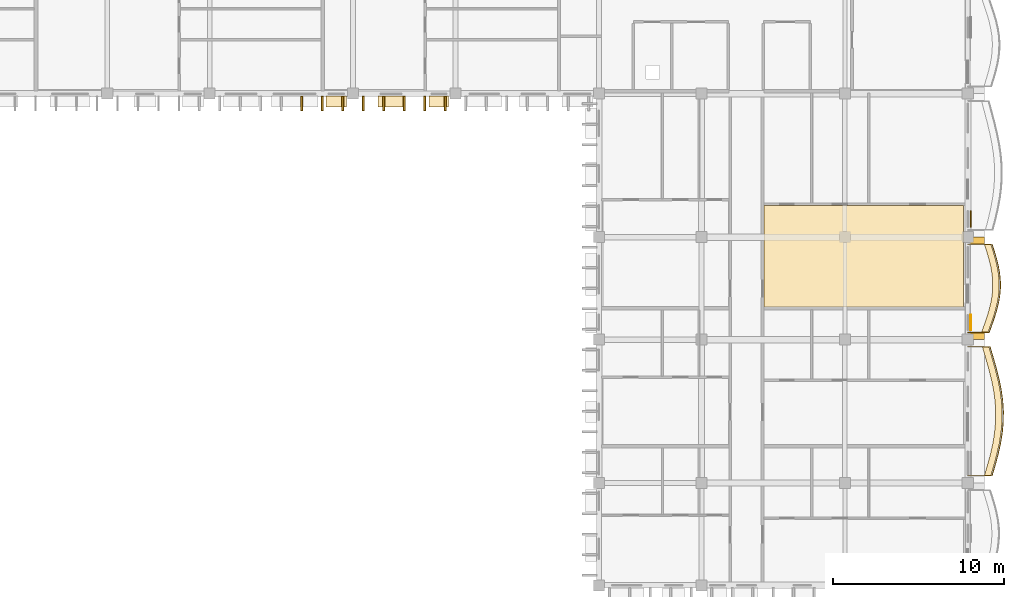
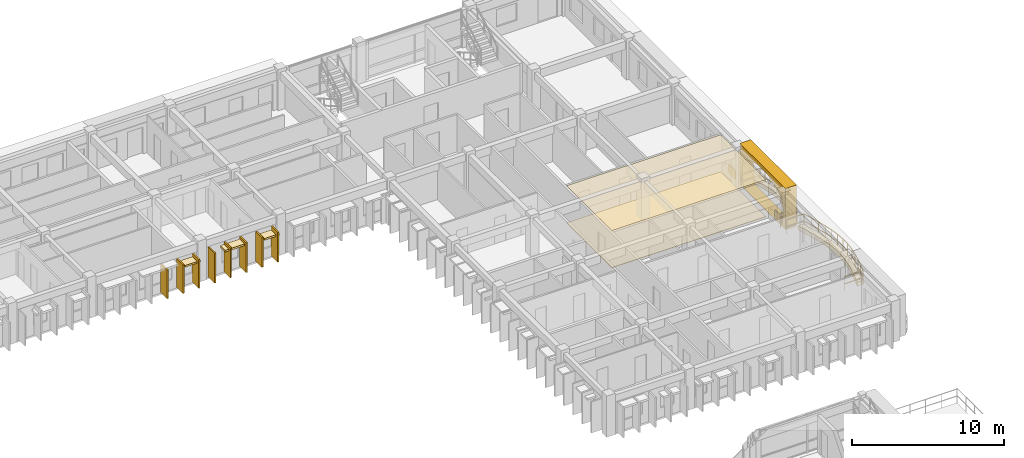
# One storey, part 62 of 66: 18 coverings, 2 railings.
"""IFC4 building model written with IfcOpenShell, lengths in metres."""

from ifc_helpers import new_model, si_unit, direction, frame, origin, origin_2d, place, context, subcontext, project, spatial, polyline, rectangle, outline, extrude, material, layer, layer_set, type_object, element, save


model = new_model("IFC4")

# Units and contexts
model_context = context("Model", 3, precision=1e-05, world=origin(), true_north=direction((0.0, 1.0)))
body_context = subcontext(model_context, "Body", "Model", "MODEL_VIEW")
ifc_project = project(units=[si_unit("LENGTHUNIT", "METRE"), si_unit("AREAUNIT", "SQUARE_METRE"), si_unit("VOLUMEUNIT", "CUBIC_METRE"), si_unit("PLANEANGLEUNIT", "RADIAN"), si_unit("MASSUNIT", "GRAM", prefix="KILO"), si_unit("THERMODYNAMICTEMPERATUREUNIT", "KELVIN")], contexts=[model_context])

# Site, building, storey
site_placement = place(None, origin())
site = spatial("IfcSite", under=ifc_project, at=site_placement, CompositionType="ELEMENT")
building_placement = place(site_placement, origin())
building = spatial("IfcBuilding", under=site, at=building_placement, Name="Thalorik Housing Commons", CompositionType="ELEMENT")
storey_placement = place(building_placement, frame((0.0, 0.0, 21.300048828125)))
storey = spatial("IfcBuildingStorey", under=building, at=storey_placement, Name="L06", CompositionType="ELEMENT", Elevation=21.300048828125)

# Coverings
ifc_material_1 = material(Name="Cobalt blue glazed ceramic facade tile panel", Category="masonry")
ifc_layer_1 = layer(ifc_material_1, 0.06005859375, Name="Cobalt blue glazed ceramic facade tile panel", Category="masonry")
ifc_layer_set_1 = layer_set([ifc_layer_1], Name="Cobalt blue glazed ceramic facade tile panel")
covering_type_1 = type_object("IfcCoveringType", Name="ARC-CLD-BLU-60", PredefinedType="CLADDING", material=ifc_layer_set_1)
covering_1_placement = place(storey_placement, frame((174.172607421875, 101.8603515625, 0.0498046875), z_axis=(0.0, 0.0, 1.0), x_axis=(0.0, 1.0, 0.0)))
element("IfcCovering", 1, at=covering_1_placement, inside=storey, type_object=covering_type_1, Name="L06 De Stijl Recessed Window Spandrel 2554", PredefinedType="CLADDING", context=body_context, shape_type="SweptSolid", body=[
    extrude(rectangle(XDim=0.949951171875, YDim=0.06005859375, at=origin_2d()), origin(), (0.0, 0.0, 1.0), 0.699951171875),
])
ifc_material_2 = material(Name="Precast concrete C40/50", Category="concrete")
ifc_layer_2 = layer(ifc_material_2, 0.85009765625, Name="Precast concrete C40/50", Category="concrete")
ifc_layer_set_2 = layer_set([ifc_layer_2], Name="Precast concrete C40/50")
covering_type_2 = type_object("IfcCoveringType", Name="ARC-CLD-CUSH-850", PredefinedType="CLADDING", material=ifc_layer_set_2)
covering_2_placement = place(storey_placement, frame((174.5625, 97.800048828125, 0.0), z_axis=(0.0, 0.0, 1.0), x_axis=(0.0, 1.0, 0.0)))
element("IfcCovering", 2, at=covering_2_placement, inside=storey, type_object=covering_type_2, Name="L06 White Precast Curved Cushion Bay Frame 2551", PredefinedType="CLADDING", context=body_context, shape_type="SweptSolid", body=[
    extrude(outline(polyline([(-3.0, 0.0), (3.0, 0.0), (3.0, 3.300048828125), (-3.0, 3.300048828125), (-3.0, 0.0)]), holes=[polyline([(2.485107421875, 0.02490234375), (2.59375, 0.407470703125), (2.658935546875, 0.7900390625), (2.6806640625, 1.172607421875), (2.658935546875, 1.554931640625), (2.59375, 1.9375), (2.485107421875, 2.320068359375), (2.0703125, 2.539306640625), (1.65576171875, 2.711181640625), (1.2412109375, 2.8505859375), (0.82666015625, 2.954345703125), (0.412109375, 3.018310546875), (-0.00244140625, 3.0400390625), (-0.4169921875, 3.018310546875), (-0.831787109375, 2.954345703125), (-1.246337890625, 2.8505859375), (-1.660888671875, 2.711181640625), (-2.075439453125, 2.539306640625), (-2.489990234375, 2.320068359375), (-2.59765625, 1.9375), (-2.662353515625, 1.554931640625), (-2.683837890625, 1.172607421875), (-2.662353515625, 0.7900390625), (-2.59765625, 0.407470703125), (-2.489990234375, 0.02490234375), (2.485107421875, 0.02490234375)])]), frame((0.0, 0.425048828125, 0.0), z_axis=(0.0, -1.0, 0.0), x_axis=(1.0, 0.0, 0.0)), (0.0, 0.0, 1.0), 0.85009765625),
])
ifc_layer_3 = layer(ifc_material_2, 0.85009765625, Name="Precast concrete C40/50", Category="concrete")
ifc_layer_set_3 = layer_set([ifc_layer_3], Name="Precast concrete C40/50")
covering_type_3 = type_object("IfcCoveringType", Name="ARC-CLD-FIN-850", PredefinedType="CLADDING", material=ifc_layer_set_3)
for number, where, z_axis, x_axis, name in (
    (3, (135.0, 108.637451171875, 0.0400390625), (0.0, 0.0, 1.0), (1.0, 0.0, 0.0), "L06 Courtyard Precast Vertical Brise-Soleil Fin 2465"),
    (4, (136.199951171875, 108.637451171875, 0.0400390625), (0.0, 0.0, 1.0), (1.0, 0.0, 0.0), "L06 Courtyard Precast Vertical Brise-Soleil Fin 2466"),
    (5, (137.39990234375, 108.637451171875, 0.0400390625), (0.0, 0.0, 1.0), (1.0, 0.0, 0.0), "L06 Courtyard Precast Vertical Brise-Soleil Fin 2467"),
):
    element("IfcCovering", number, at=place(storey_placement, frame(where, z_axis=z_axis, x_axis=x_axis)), inside=storey, type_object=covering_type_3, Name=name, PredefinedType="CLADDING", context=body_context, shape_type="SweptSolid", body=[
        extrude(rectangle(XDim=0.110107421875, YDim=0.85009765625, at=origin_2d()), origin(), (0.0, 0.0, 1.0), 2.294921875),
    ])
for number, where, z_axis, x_axis, name in (
    (6, (138.60009765625, 108.637451171875, 0.0400390625), (0.0, 0.0, 1.0), (1.0, 0.0, 0.0), "L06 Courtyard Precast Vertical Brise-Soleil Fin 2471"),
    (7, (139.800048828125, 108.637451171875, 0.0400390625), (0.0, 0.0, 1.0), (1.0, 0.0, 0.0), "L06 Courtyard Precast Vertical Brise-Soleil Fin 2472"),
    (8, (141.0, 108.637451171875, 0.0400390625), (0.0, 0.0, 1.0), (1.0, 0.0, 0.0), "L06 Courtyard Precast Vertical Brise-Soleil Fin 2473"),
    (9, (142.199951171875, 108.637451171875, 0.0400390625), (0.0, 0.0, 1.0), (1.0, 0.0, 0.0), "L06 Courtyard Precast Vertical Brise-Soleil Fin 2474"),
    (10, (143.39990234375, 108.637451171875, 0.0400390625), (0.0, 0.0, 1.0), (1.0, 0.0, 0.0), "L06 Courtyard Precast Vertical Brise-Soleil Fin 2475"),
):
    element("IfcCovering", number, at=place(storey_placement, frame(where, z_axis=z_axis, x_axis=x_axis)), inside=storey, type_object=covering_type_3, Name=name, PredefinedType="CLADDING", context=body_context, shape_type="SweptSolid", body=[
        extrude(rectangle(XDim=0.110107421875, YDim=0.85009765625, at=origin_2d()), origin(), (0.0, 0.0, 1.0), 2.39501953125),
    ])
ifc_layer_4 = layer(ifc_material_2, 0.64990234375, Name="Precast concrete C40/50", Category="concrete")
ifc_layer_set_4 = layer_set([ifc_layer_4], Name="Precast concrete C40/50")
covering_type_4 = type_object("IfcCoveringType", Name="ARC-CLD-HOOD-650", PredefinedType="CLADDING", material=ifc_layer_set_4)
covering_3_placement = place(storey_placement, frame((137.014892578125, 108.737548828125, 1.93994140625), z_axis=(0.0, 0.0, 1.0), x_axis=(1.0, 0.0, 0.0)))
element("IfcCovering", 11, at=covering_3_placement, inside=storey, type_object=covering_type_4, Name="L06 Courtyard Precast Window Sun-Hood 2470", PredefinedType="CLADDING", context=body_context, shape_type="SweptSolid", body=[
    extrude(rectangle(XDim=1.18994140625, YDim=0.64990234375, at=origin_2d()), origin(), (0.0, 0.0, 1.0), 0.139892578125),
])
covering_4_placement = place(storey_placement, frame((140.21240234375, 108.737548828125, 2.08984375), z_axis=(0.0, 0.0, 1.0), x_axis=(1.0, 0.0, 0.0)))
element("IfcCovering", 12, at=covering_4_placement, inside=storey, type_object=covering_type_4, Name="L06 Courtyard Precast Window Sun-Hood 2476", PredefinedType="CLADDING", context=body_context, shape_type="SweptSolid", body=[
    extrude(rectangle(XDim=1.489990234375, YDim=0.64990234375, at=origin_2d()), origin(), (0.0, 0.0, 1.0), 0.139892578125),
])
covering_5_placement = place(storey_placement, frame((143.0224609375, 108.737548828125, 1.990234375), z_axis=(0.0, 0.0, 1.0), x_axis=(1.0, 0.0, 0.0)))
element("IfcCovering", 13, at=covering_5_placement, inside=storey, type_object=covering_type_4, Name="L06 Courtyard Precast Window Sun-Hood 2477", PredefinedType="CLADDING", context=body_context, shape_type="SweptSolid", body=[
    extrude(rectangle(XDim=1.139892578125, YDim=0.64990234375, at=origin_2d()), origin(), (0.0, 0.0, 1.0), 0.139892578125),
])
ifc_material_3 = material(Name="Terracotta red mineral fibre-cement panel", Category="masonry")
ifc_layer_5 = layer(ifc_material_3, 0.054931640625, Name="Terracotta red mineral fibre-cement panel", Category="masonry")
ifc_layer_set_5 = layer_set([ifc_layer_5], Name="Terracotta red mineral fibre-cement panel")
covering_type_5 = type_object("IfcCoveringType", Name="ARC-CLD-RED-55", PredefinedType="CLADDING", material=ifc_layer_set_5)
covering_6_placement = place(storey_placement, frame((174.169921875, 95.81005859375, 0.0498046875), z_axis=(0.0, 0.0, 1.0), x_axis=(0.0, 1.0, 0.0)))
element("IfcCovering", 14, at=covering_6_placement, inside=storey, type_object=covering_type_5, Name="L06 De Stijl Recessed Window Spandrel 2552", PredefinedType="CLADDING", context=body_context, shape_type="SweptSolid", body=[
    extrude(rectangle(XDim=0.89990234375, YDim=0.054931640625, at=origin_2d()), origin(), (0.0, 0.0, 1.0), 0.699951171875),
])
ifc_material_4 = material(Name="Acoustic wood-wool nursery ceiling panel", Category="wood")
ifc_layer_6 = layer(ifc_material_4, 0.035888671875, Name="Acoustic wood-wool nursery ceiling panel", Category="wood")
ifc_layer_set_6 = layer_set([ifc_layer_6], Name="Acoustic wood-wool nursery ceiling panel")
covering_type_6 = type_object("IfcCoveringType", Name="ARC-COV-CEIL-06", PredefinedType="CEILING", material=ifc_layer_set_6)
covering_7_placement = place(storey_placement, frame((0.0, 0.0, 2.9638671875)))
element("IfcCovering", 15, at=covering_7_placement, inside=storey, type_object=covering_type_6, Name="L06 Sunlit Wintergarden Lounge Suspended Ceiling", PredefinedType="CEILING", context=body_context, shape_type="SweptSolid", body=[
    extrude(outline(polyline([(173.760009765625, 102.660888671875), (162.06005859375, 102.660888671875), (162.06005859375, 96.7099609375), (173.760009765625, 96.7099609375), (173.760009765625, 102.660888671875)])), origin(), (0.0, 0.0, 1.0), 0.0361328125),
])
ifc_material_5 = material(Name="Epoxy-sealed concrete plant and bicycle hub finish", Category="concrete")
ifc_layer_7 = layer(ifc_material_5, 0.031982421875, Name="Epoxy-sealed concrete plant and bicycle hub finish", Category="concrete")
ifc_layer_set_7 = layer_set([ifc_layer_7], Name="Epoxy-sealed concrete plant and bicycle hub finish")
covering_type_7 = type_object("IfcCoveringType", Name="ARC-COV-FLR-06", PredefinedType="FLOORING", material=ifc_layer_set_7)
covering_8_placement = place(storey_placement, origin())
element("IfcCovering", 16, at=covering_8_placement, inside=storey, type_object=covering_type_7, Name="L06 Sunlit Wintergarden Lounge Flooring", PredefinedType="FLOORING", context=body_context, shape_type="SweptSolid", body=[
    extrude(outline(polyline([(173.760009765625, 102.660888671875), (162.06005859375, 102.660888671875), (162.06005859375, 96.7099609375), (173.760009765625, 96.7099609375), (173.760009765625, 102.660888671875)])), origin(), (0.0, 0.0, 1.0), 0.031982421875),
])
ifc_material_6 = material(Name="Planted vegetated substrate and terracotta trough", Category="masonry")
ifc_layer_8 = layer(ifc_material_6, 0.340087890625, Name="Planted vegetated substrate and terracotta trough", Category="masonry")
ifc_layer_set_8 = layer_set([ifc_layer_8], Name="Planted vegetated substrate and terracotta trough")
covering_type_8 = type_object("IfcCoveringType", Name="ARC-COV-PLANTER", PredefinedType="USERDEFINED", material=ifc_layer_set_8)
covering_9_placement = place(storey_placement, origin())
element("IfcCovering", 17, at=covering_9_placement, inside=storey, type_object=covering_type_8, Name="L06 Balcony Slab-Edge Planted Trough 5499", ObjectType="PLANTER", PredefinedType="USERDEFINED", context=body_context, shape_type="SweptSolid", body=[
    extrude(outline(polyline([(175.35009765625, 86.820068359375), (175.535888671875, 87.449951171875), (175.704833984375, 88.080078125), (175.845458984375, 88.7099609375), (175.947998046875, 89.340087890625), (176.005615234375, 89.969970703125), (176.01416015625, 90.60009765625), (175.97314453125, 91.22998046875), (175.8857421875, 91.860107421875), (175.758056640625, 92.489990234375), (175.598876953125, 93.1201171875), (175.419189453125, 93.75), (175.231689453125, 94.3798828125), (174.8515625, 94.3798828125), (175.0390625, 93.75), (175.21875, 93.1201171875), (175.3779296875, 92.489990234375), (175.505859375, 91.860107421875), (175.59326171875, 91.22998046875), (175.634033203125, 90.60009765625), (175.62548828125, 89.969970703125), (175.568115234375, 89.340087890625), (175.46533203125, 88.7099609375), (175.32470703125, 88.080078125), (175.156005859375, 87.449951171875), (174.97021484375, 86.820068359375), (175.35009765625, 86.820068359375)])), origin(), (0.0, 0.0, 1.0), 0.33984375),
])
covering_10_placement = place(storey_placement, origin())
element("IfcCovering", 18, at=covering_10_placement, inside=storey, type_object=covering_type_8, Name="L06 Balcony Slab-Edge Planted Trough 5500", ObjectType="PLANTER", PredefinedType="USERDEFINED", context=body_context, shape_type="SweptSolid", body=[
    extrude(outline(polyline([(175.1826171875, 95.219970703125), (175.33837890625, 95.64990234375), (175.487548828125, 96.080078125), (175.6201171875, 96.510009765625), (175.72705078125, 96.93994140625), (175.801513671875, 97.3701171875), (175.838623046875, 97.800048828125), (175.836669921875, 98.22998046875), (175.796142578125, 98.659912109375), (175.720947265625, 99.090087890625), (175.616455078125, 99.52001953125), (175.49072265625, 99.949951171875), (175.35302734375, 100.3798828125), (174.972900390625, 100.3798828125), (175.110595703125, 99.949951171875), (175.236328125, 99.52001953125), (175.3408203125, 99.090087890625), (175.416259765625, 98.659912109375), (175.45654296875, 98.22998046875), (175.45849609375, 97.800048828125), (175.42138671875, 97.3701171875), (175.346923828125, 96.93994140625), (175.239990234375, 96.510009765625), (175.107666015625, 96.080078125), (174.95849609375, 95.64990234375), (174.802490234375, 95.219970703125), (175.1826171875, 95.219970703125)])), origin(), (0.0, 0.0, 1.0), 0.33984375),
])

# Railings
ifc_material_7 = material(Name="Steel S355", Category="steel")
railing_type_1 = type_object("IfcRailingType", Name="ARC-RL-BAL-112", PredefinedType="BALUSTRADE", material=ifc_material_7)
railing_1_placement = place(storey_placement, frame((174.0, 95.219970703125, 0.0)))
element("IfcRailing", 19, at=railing_1_placement, inside=storey, type_object=railing_type_1, Name="L06 Cushion Balcony Guardrail 184", PredefinedType="BALUSTRADE", context=body_context, shape_type="SweptSolid", body=[
    extrude(rectangle(XDim=0.050048828125, YDim=0.050048828125, at=origin_2d()), frame((0.0, 0.0, 1.09521484375), z_axis=(1.0, 0.0, 0.0), x_axis=(0.0, 1.0, 0.0)), (0.0, 0.0, 1.0), 1.252685546875),
    extrude(rectangle(XDim=0.050048828125, YDim=0.050048828125, at=origin_2d()), frame((0.0, 0.0, 0.53515625), z_axis=(1.0, 0.0, 0.0), x_axis=(0.0, 1.0, 0.0)), (0.0, 0.0, 1.0), 1.252685546875),
    extrude(rectangle(XDim=0.050048828125, YDim=0.050048828125, at=origin_2d()), frame((1.252685546875, 0.0, 1.09521484375), z_axis=(0.3406282576, 0.940198058988, 0.0), x_axis=(-0.940198058988, 0.3406282576, 0.0)), (0.0, 0.0, 1.0), 0.457275390625),
    extrude(rectangle(XDim=0.050048828125, YDim=0.050048828125, at=origin_2d()), frame((1.252685546875, 0.0, 0.53515625), z_axis=(0.3406282576, 0.940198058988, 0.0), x_axis=(-0.940198058988, 0.3406282576, 0.0)), (0.0, 0.0, 1.0), 0.457275390625),
    extrude(rectangle(XDim=0.050048828125, YDim=0.050048828125, at=origin_2d()), frame((1.408447265625, 0.429931640625, 1.09521484375), z_axis=(0.327626186403, 0.944807431164, 0.0), x_axis=(-0.944807431164, 0.327626186403, 0.0)), (0.0, 0.0, 1.0), 0.455322265625),
    extrude(rectangle(XDim=0.050048828125, YDim=0.050048828125, at=origin_2d()), frame((1.408447265625, 0.429931640625, 0.53515625), z_axis=(0.327626186403, 0.944807431164, 0.0), x_axis=(-0.944807431164, 0.327626186403, 0.0)), (0.0, 0.0, 1.0), 0.455322265625),
    extrude(rectangle(XDim=0.050048828125, YDim=0.050048828125, at=origin_2d()), frame((1.5576171875, 0.860107421875, 1.09521484375), z_axis=(0.29465777633, 0.955602843679, 0.0), x_axis=(-0.955602843679, 0.29465777633, 0.0)), (0.0, 0.0, 1.0), 0.449951171875),
    extrude(rectangle(XDim=0.050048828125, YDim=0.050048828125, at=origin_2d()), frame((1.5576171875, 0.860107421875, 0.53515625), z_axis=(0.29465777633, 0.955602843679, 0.0), x_axis=(-0.955602843679, 0.29465777633, 0.0)), (0.0, 0.0, 1.0), 0.449951171875),
    extrude(rectangle(XDim=0.050048828125, YDim=0.050048828125, at=origin_2d()), frame((1.690185546875, 1.2900390625, 1.09521484375), z_axis=(0.241368478682, 0.970433541001, 0.0), x_axis=(-0.970433541001, 0.241368478682, 0.0)), (0.0, 0.0, 1.0), 0.443115234375),
    extrude(rectangle(XDim=0.050048828125, YDim=0.050048828125, at=origin_2d()), frame((1.690185546875, 1.2900390625, 0.53515625), z_axis=(0.241368478682, 0.970433541001, 0.0), x_axis=(-0.970433541001, 0.241368478682, 0.0)), (0.0, 0.0, 1.0), 0.443115234375),
    extrude(rectangle(XDim=0.050048828125, YDim=0.050048828125, at=origin_2d()), frame((1.797119140625, 1.719970703125, 1.09521484375), z_axis=(0.170019286847, 0.985440734951, 0.0), x_axis=(-0.985440734951, 0.170019286847, 0.0)), (0.0, 0.0, 1.0), 0.4365234375),
    extrude(rectangle(XDim=0.050048828125, YDim=0.050048828125, at=origin_2d()), frame((1.797119140625, 1.719970703125, 0.53515625), z_axis=(0.170019286847, 0.985440734951, 0.0), x_axis=(-0.985440734951, 0.170019286847, 0.0)), (0.0, 0.0, 1.0), 0.4365234375),
    extrude(rectangle(XDim=0.050048828125, YDim=0.050048828125, at=origin_2d()), frame((1.871337890625, 2.150146484375, 1.09521484375), z_axis=(0.086556379302, 0.996246953924, 0.0), x_axis=(-0.996246953924, 0.086556379302, 0.0)), (0.0, 0.0, 1.0), 0.431640625),
    extrude(rectangle(XDim=0.050048828125, YDim=0.050048828125, at=origin_2d()), frame((1.871337890625, 2.150146484375, 0.53515625), z_axis=(0.086556379302, 0.996246953924, 0.0), x_axis=(-0.996246953924, 0.086556379302, 0.0)), (0.0, 0.0, 1.0), 0.431640625),
    extrude(rectangle(XDim=0.050048828125, YDim=0.050048828125, at=origin_2d()), frame((1.90869140625, 2.580078125, 1.09521484375), z_axis=(-0.005110665795, 0.999986940462, 0.0), x_axis=(-0.999986940462, -0.005110665795, 0.0)), (0.0, 0.0, 1.0), 0.429931640625),
    extrude(rectangle(XDim=0.050048828125, YDim=0.050048828125, at=origin_2d()), frame((1.90869140625, 2.580078125, 0.53515625), z_axis=(-0.005110665795, 0.999986940462, 0.0), x_axis=(-0.999986940462, -0.005110665795, 0.0)), (0.0, 0.0, 1.0), 0.429931640625),
    extrude(rectangle(XDim=0.050048828125, YDim=0.050048828125, at=origin_2d()), frame((1.906494140625, 3.010009765625, 1.09521484375), z_axis=(-0.093288165726, 0.995639150564, 0.0), x_axis=(-0.995639150564, -0.093288165726, 0.0)), (0.0, 0.0, 1.0), 0.431884765625),
    extrude(rectangle(XDim=0.050048828125, YDim=0.050048828125, at=origin_2d()), frame((1.906494140625, 3.010009765625, 0.53515625), z_axis=(-0.093288165726, 0.995639150564, 0.0), x_axis=(-0.995639150564, -0.093288165726, 0.0)), (0.0, 0.0, 1.0), 0.431884765625),
    extrude(rectangle(XDim=0.050048828125, YDim=0.050048828125, at=origin_2d()), frame((1.8662109375, 3.43994140625, 1.09521484375), z_axis=(-0.172190471919, 0.98506367377, 0.0), x_axis=(-0.98506367377, -0.172190471919, 0.0)), (0.0, 0.0, 1.0), 0.436767578125),
    extrude(rectangle(XDim=0.050048828125, YDim=0.050048828125, at=origin_2d()), frame((1.8662109375, 3.43994140625, 0.53515625), z_axis=(-0.172190471919, 0.98506367377, 0.0), x_axis=(-0.98506367377, -0.172190471919, 0.0)), (0.0, 0.0, 1.0), 0.436767578125),
    extrude(rectangle(XDim=0.050048828125, YDim=0.050048828125, at=origin_2d()), frame((1.791015625, 3.8701171875, 1.09521484375), z_axis=(-0.236689448034, 0.971585356615, 0.0), x_axis=(-0.971585356615, -0.236689448034, 0.0)), (0.0, 0.0, 1.0), 0.442626953125),
    extrude(rectangle(XDim=0.050048828125, YDim=0.050048828125, at=origin_2d()), frame((1.791015625, 3.8701171875, 0.53515625), z_axis=(-0.236689448034, 0.971585356615, 0.0), x_axis=(-0.971585356615, -0.236689448034, 0.0)), (0.0, 0.0, 1.0), 0.442626953125),
    extrude(rectangle(XDim=0.050048828125, YDim=0.050048828125, at=origin_2d()), frame((1.686279296875, 4.300048828125, 1.09521484375), z_axis=(-0.280188385866, 0.959945034065, 0.0), x_axis=(-0.959945034065, -0.280188385866, 0.0)), (0.0, 0.0, 1.0), 0.44775390625),
    extrude(rectangle(XDim=0.050048828125, YDim=0.050048828125, at=origin_2d()), frame((1.686279296875, 4.300048828125, 0.53515625), z_axis=(-0.280188385866, 0.959945034065, 0.0), x_axis=(-0.959945034065, -0.280188385866, 0.0)), (0.0, 0.0, 1.0), 0.44775390625),
    extrude(rectangle(XDim=0.050048828125, YDim=0.050048828125, at=origin_2d()), frame((1.560791015625, 4.72998046875, 1.09521484375), z_axis=(-0.305011189479, 0.95234876715, 0.0), x_axis=(-0.95234876715, -0.305011189479, 0.0)), (0.0, 0.0, 1.0), 0.451416015625),
    extrude(rectangle(XDim=0.050048828125, YDim=0.050048828125, at=origin_2d()), frame((1.560791015625, 4.72998046875, 0.53515625), z_axis=(-0.305011189479, 0.95234876715, 0.0), x_axis=(-0.95234876715, -0.305011189479, 0.0)), (0.0, 0.0, 1.0), 0.451416015625),
    extrude(rectangle(XDim=0.050048828125, YDim=0.050048828125, at=origin_2d()), frame((1.423095703125, 5.159912109375, 1.09521484375), z_axis=(-1.0, 0.0, 0.0), x_axis=(0.0, -1.0, 0.0)), (0.0, 0.0, 1.0), 1.423095703125),
    extrude(rectangle(XDim=0.050048828125, YDim=0.050048828125, at=origin_2d()), frame((1.423095703125, 5.159912109375, 0.53515625), z_axis=(-1.0, 0.0, 0.0), x_axis=(0.0, -1.0, 0.0)), (0.0, 0.0, 1.0), 1.423095703125),
    extrude(rectangle(XDim=0.0419921875, YDim=0.0419921875, at=origin_2d()), origin(), (0.0, 0.0, 1.0), 1.070068359375),
    extrude(rectangle(XDim=0.0419921875, YDim=0.0419921875, at=origin_2d()), frame((1.252685546875, 0.0, 0.0)), (0.0, 0.0, 1.0), 1.070068359375),
    extrude(rectangle(XDim=0.0419921875, YDim=0.0419921875, at=origin_2d()), frame((1.408447265625, 0.429931640625, 0.0)), (0.0, 0.0, 1.0), 1.070068359375),
    extrude(rectangle(XDim=0.0419921875, YDim=0.0419921875, at=origin_2d()), frame((1.5576171875, 0.860107421875, 0.0)), (0.0, 0.0, 1.0), 1.070068359375),
    extrude(rectangle(XDim=0.0419921875, YDim=0.0419921875, at=origin_2d()), frame((1.690185546875, 1.2900390625, 0.0)), (0.0, 0.0, 1.0), 1.070068359375),
    extrude(rectangle(XDim=0.0419921875, YDim=0.0419921875, at=origin_2d()), frame((1.797119140625, 1.719970703125, 0.0)), (0.0, 0.0, 1.0), 1.070068359375),
    extrude(rectangle(XDim=0.0419921875, YDim=0.0419921875, at=origin_2d()), frame((1.871337890625, 2.150146484375, 0.0)), (0.0, 0.0, 1.0), 1.070068359375),
    extrude(rectangle(XDim=0.0419921875, YDim=0.0419921875, at=origin_2d()), frame((1.90869140625, 2.580078125, 0.0)), (0.0, 0.0, 1.0), 1.070068359375),
    extrude(rectangle(XDim=0.0419921875, YDim=0.0419921875, at=origin_2d()), frame((1.906494140625, 3.010009765625, 0.0)), (0.0, 0.0, 1.0), 1.070068359375),
    extrude(rectangle(XDim=0.0419921875, YDim=0.0419921875, at=origin_2d()), frame((1.8662109375, 3.43994140625, 0.0)), (0.0, 0.0, 1.0), 1.070068359375),
    extrude(rectangle(XDim=0.0419921875, YDim=0.0419921875, at=origin_2d()), frame((1.791015625, 3.8701171875, 0.0)), (0.0, 0.0, 1.0), 1.070068359375),
    extrude(rectangle(XDim=0.0419921875, YDim=0.0419921875, at=origin_2d()), frame((1.686279296875, 4.300048828125, 0.0)), (0.0, 0.0, 1.0), 1.070068359375),
    extrude(rectangle(XDim=0.0419921875, YDim=0.0419921875, at=origin_2d()), frame((1.560791015625, 4.72998046875, 0.0)), (0.0, 0.0, 1.0), 1.070068359375),
    extrude(rectangle(XDim=0.0419921875, YDim=0.0419921875, at=origin_2d()), frame((1.423095703125, 5.159912109375, 0.0)), (0.0, 0.0, 1.0), 1.070068359375),
    extrude(rectangle(XDim=0.0419921875, YDim=0.0419921875, at=origin_2d()), frame((0.0, 5.159912109375, 0.0)), (0.0, 0.0, 1.0), 1.070068359375),
])
railing_type_2 = type_object("IfcRailingType", Name="ARC-RL-BAL-115", PredefinedType="BALUSTRADE", material=ifc_material_7)
railing_2_placement = place(storey_placement, frame((174.0, 86.820068359375, 0.0)))
element("IfcRailing", 20, at=railing_2_placement, inside=storey, type_object=railing_type_2, Name="L06 Cushion Balcony Guardrail 183", PredefinedType="BALUSTRADE", context=body_context, shape_type="SweptSolid", body=[
    extrude(rectangle(XDim=0.050048828125, YDim=0.050048828125, at=origin_2d()), frame((0.0, 0.0, 1.125), z_axis=(1.0, 0.0, 0.0), x_axis=(0.0, 1.0, 0.0)), (0.0, 0.0, 1.0), 1.420166015625),
    extrude(rectangle(XDim=0.050048828125, YDim=0.050048828125, at=origin_2d()), frame((0.0, 0.0, 0.5498046875), z_axis=(1.0, 0.0, 0.0), x_axis=(0.0, 1.0, 0.0)), (0.0, 0.0, 1.0), 1.420166015625),
    extrude(rectangle(XDim=0.050048828125, YDim=0.050048828125, at=origin_2d()), frame((1.420166015625, 0.0, 1.125), z_axis=(0.282910947107, 0.959146180729, 0.0), x_axis=(-0.959146180729, 0.282910947107, 0.0)), (0.0, 0.0, 1.0), 0.65673828125),
    extrude(rectangle(XDim=0.050048828125, YDim=0.050048828125, at=origin_2d()), frame((1.420166015625, 0.0, 0.5498046875), z_axis=(0.282910947107, 0.959146180729, 0.0), x_axis=(-0.959146180729, 0.282910947107, 0.0)), (0.0, 0.0, 1.0), 0.65673828125),
    extrude(rectangle(XDim=0.050048828125, YDim=0.050048828125, at=origin_2d()), frame((1.60595703125, 0.6298828125, 1.125), z_axis=(0.258966784013, 0.965886227657, 0.0), x_axis=(-0.965886227657, 0.258966784013, 0.0)), (0.0, 0.0, 1.0), 0.65234375),
    extrude(rectangle(XDim=0.050048828125, YDim=0.050048828125, at=origin_2d()), frame((1.60595703125, 0.6298828125, 0.5498046875), z_axis=(0.258966784013, 0.965886227657, 0.0), x_axis=(-0.965886227657, 0.258966784013, 0.0)), (0.0, 0.0, 1.0), 0.65234375),
    extrude(rectangle(XDim=0.050048828125, YDim=0.050048828125, at=origin_2d()), frame((1.77490234375, 1.260009765625, 1.125), z_axis=(0.217531270363, 0.976053352238, 0.0), x_axis=(-0.976053352238, 0.217531270363, 0.0)), (0.0, 0.0, 1.0), 0.645263671875),
    extrude(rectangle(XDim=0.050048828125, YDim=0.050048828125, at=origin_2d()), frame((1.77490234375, 1.260009765625, 0.5498046875), z_axis=(0.217531270363, 0.976053352238, 0.0), x_axis=(-0.976053352238, 0.217531270363, 0.0)), (0.0, 0.0, 1.0), 0.645263671875),
    extrude(rectangle(XDim=0.050048828125, YDim=0.050048828125, at=origin_2d()), frame((1.915283203125, 1.889892578125, 1.125), z_axis=(0.160987472055, 0.98695644982, 0.0), x_axis=(-0.98695644982, 0.160987472055, 0.0)), (0.0, 0.0, 1.0), 0.638427734375),
    extrude(rectangle(XDim=0.050048828125, YDim=0.050048828125, at=origin_2d()), frame((1.915283203125, 1.889892578125, 0.5498046875), z_axis=(0.160987472055, 0.98695644982, 0.0), x_axis=(-0.98695644982, 0.160987472055, 0.0)), (0.0, 0.0, 1.0), 0.638427734375),
    extrude(rectangle(XDim=0.050048828125, YDim=0.050048828125, at=origin_2d()), frame((2.01806640625, 2.52001953125, 1.125), z_axis=(0.090709760595, 0.995877371634, 0.0), x_axis=(-0.995877371634, 0.090709760595, 0.0)), (0.0, 0.0, 1.0), 0.632568359375),
    extrude(rectangle(XDim=0.050048828125, YDim=0.050048828125, at=origin_2d()), frame((2.01806640625, 2.52001953125, 0.5498046875), z_axis=(0.090709760595, 0.995877371634, 0.0), x_axis=(-0.995877371634, 0.090709760595, 0.0)), (0.0, 0.0, 1.0), 0.632568359375),
    extrude(rectangle(XDim=0.050048828125, YDim=0.050048828125, at=origin_2d()), frame((2.075439453125, 3.14990234375, 1.125), z_axis=(0.013559388746, 0.999908067263, 0.0), x_axis=(-0.999908067263, 0.013559388746, 0.0)), (0.0, 0.0, 1.0), 0.630126953125),
    extrude(rectangle(XDim=0.050048828125, YDim=0.050048828125, at=origin_2d()), frame((2.075439453125, 3.14990234375, 0.5498046875), z_axis=(0.013559388746, 0.999908067263, 0.0), x_axis=(-0.999908067263, 0.013559388746, 0.0)), (0.0, 0.0, 1.0), 0.630126953125),
    extrude(rectangle(XDim=0.050048828125, YDim=0.050048828125, at=origin_2d()), frame((2.083984375, 3.780029296875, 1.125), z_axis=(-0.064593506601, 0.997911658868, 0.0), x_axis=(-0.997911658868, -0.064593506601, 0.0)), (0.0, 0.0, 1.0), 0.631103515625),
    extrude(rectangle(XDim=0.050048828125, YDim=0.050048828125, at=origin_2d()), frame((2.083984375, 3.780029296875, 0.5498046875), z_axis=(-0.064593506601, 0.997911658868, 0.0), x_axis=(-0.997911658868, -0.064593506601, 0.0)), (0.0, 0.0, 1.0), 0.631103515625),
    extrude(rectangle(XDim=0.050048828125, YDim=0.050048828125, at=origin_2d()), frame((2.043212890625, 4.409912109375, 1.125), z_axis=(-0.137390572843, 0.990516951139, 0.0), x_axis=(-0.990516951139, -0.137390572843, 0.0)), (0.0, 0.0, 1.0), 0.63623046875),
    extrude(rectangle(XDim=0.050048828125, YDim=0.050048828125, at=origin_2d()), frame((2.043212890625, 4.409912109375, 0.5498046875), z_axis=(-0.137390572843, 0.990516951139, 0.0), x_axis=(-0.990516951139, -0.137390572843, 0.0)), (0.0, 0.0, 1.0), 0.63623046875),
    extrude(rectangle(XDim=0.050048828125, YDim=0.050048828125, at=origin_2d()), frame((1.955810546875, 5.0400390625, 1.125), z_axis=(-0.19903712482, 0.979991950448, 0.0), x_axis=(-0.979991950448, -0.19903712482, 0.0)), (0.0, 0.0, 1.0), 0.642822265625),
    extrude(rectangle(XDim=0.050048828125, YDim=0.050048828125, at=origin_2d()), frame((1.955810546875, 5.0400390625, 0.5498046875), z_axis=(-0.19903712482, 0.979991950448, 0.0), x_axis=(-0.979991950448, -0.19903712482, 0.0)), (0.0, 0.0, 1.0), 0.642822265625),
    extrude(rectangle(XDim=0.050048828125, YDim=0.050048828125, at=origin_2d()), frame((1.827880859375, 5.669921875, 1.125), z_axis=(-0.244921349705, 0.969542950291, 0.0), x_axis=(-0.969542950291, -0.244921349705, 0.0)), (0.0, 0.0, 1.0), 0.64990234375),
    extrude(rectangle(XDim=0.050048828125, YDim=0.050048828125, at=origin_2d()), frame((1.827880859375, 5.669921875, 0.5498046875), z_axis=(-0.244921349705, 0.969542950291, 0.0), x_axis=(-0.969542950291, -0.244921349705, 0.0)), (0.0, 0.0, 1.0), 0.64990234375),
    extrude(rectangle(XDim=0.050048828125, YDim=0.050048828125, at=origin_2d()), frame((1.668701171875, 6.300048828125, 1.125), z_axis=(-0.274327279801, 0.961636388432, 0.0), x_axis=(-0.961636388432, -0.274327279801, 0.0)), (0.0, 0.0, 1.0), 0.655029296875),
    extrude(rectangle(XDim=0.050048828125, YDim=0.050048828125, at=origin_2d()), frame((1.668701171875, 6.300048828125, 0.5498046875), z_axis=(-0.274327279801, 0.961636388432, 0.0), x_axis=(-0.961636388432, -0.274327279801, 0.0)), (0.0, 0.0, 1.0), 0.655029296875),
    extrude(rectangle(XDim=0.050048828125, YDim=0.050048828125, at=origin_2d()), frame((1.489013671875, 6.929931640625, 1.125), z_axis=(-0.285302345782, 0.958437567863, 0.0), x_axis=(-0.958437567863, -0.285302345782, 0.0)), (0.0, 0.0, 1.0), 0.6572265625),
    extrude(rectangle(XDim=0.050048828125, YDim=0.050048828125, at=origin_2d()), frame((1.489013671875, 6.929931640625, 0.5498046875), z_axis=(-0.285302345782, 0.958437567863, 0.0), x_axis=(-0.958437567863, -0.285302345782, 0.0)), (0.0, 0.0, 1.0), 0.6572265625),
    extrude(rectangle(XDim=0.050048828125, YDim=0.050048828125, at=origin_2d()), frame((1.301513671875, 7.559814453125, 1.125), z_axis=(-1.0, 0.0, 0.0), x_axis=(0.0, -1.0, 0.0)), (0.0, 0.0, 1.0), 1.301513671875),
    extrude(rectangle(XDim=0.050048828125, YDim=0.050048828125, at=origin_2d()), frame((1.301513671875, 7.559814453125, 0.5498046875), z_axis=(-1.0, 0.0, 0.0), x_axis=(0.0, -1.0, 0.0)), (0.0, 0.0, 1.0), 1.301513671875),
    extrude(rectangle(XDim=0.0419921875, YDim=0.0419921875, at=origin_2d()), origin(), (0.0, 0.0, 1.0), 1.099853515625),
    extrude(rectangle(XDim=0.0419921875, YDim=0.0419921875, at=origin_2d()), frame((1.420166015625, 0.0, 0.0)), (0.0, 0.0, 1.0), 1.099853515625),
    extrude(rectangle(XDim=0.0419921875, YDim=0.0419921875, at=origin_2d()), frame((1.60595703125, 0.6298828125, 0.0)), (0.0, 0.0, 1.0), 1.099853515625),
    extrude(rectangle(XDim=0.0419921875, YDim=0.0419921875, at=origin_2d()), frame((1.77490234375, 1.260009765625, 0.0)), (0.0, 0.0, 1.0), 1.099853515625),
    extrude(rectangle(XDim=0.0419921875, YDim=0.0419921875, at=origin_2d()), frame((1.915283203125, 1.889892578125, 0.0)), (0.0, 0.0, 1.0), 1.099853515625),
    extrude(rectangle(XDim=0.0419921875, YDim=0.0419921875, at=origin_2d()), frame((2.01806640625, 2.52001953125, 0.0)), (0.0, 0.0, 1.0), 1.099853515625),
    extrude(rectangle(XDim=0.0419921875, YDim=0.0419921875, at=origin_2d()), frame((2.075439453125, 3.14990234375, 0.0)), (0.0, 0.0, 1.0), 1.099853515625),
    extrude(rectangle(XDim=0.0419921875, YDim=0.0419921875, at=origin_2d()), frame((2.083984375, 3.780029296875, 0.0)), (0.0, 0.0, 1.0), 1.099853515625),
    extrude(rectangle(XDim=0.0419921875, YDim=0.0419921875, at=origin_2d()), frame((2.043212890625, 4.409912109375, 0.0)), (0.0, 0.0, 1.0), 1.099853515625),
    extrude(rectangle(XDim=0.0419921875, YDim=0.0419921875, at=origin_2d()), frame((1.955810546875, 5.0400390625, 0.0)), (0.0, 0.0, 1.0), 1.099853515625),
    extrude(rectangle(XDim=0.0419921875, YDim=0.0419921875, at=origin_2d()), frame((1.827880859375, 5.669921875, 0.0)), (0.0, 0.0, 1.0), 1.099853515625),
    extrude(rectangle(XDim=0.0419921875, YDim=0.0419921875, at=origin_2d()), frame((1.668701171875, 6.300048828125, 0.0)), (0.0, 0.0, 1.0), 1.099853515625),
    extrude(rectangle(XDim=0.0419921875, YDim=0.0419921875, at=origin_2d()), frame((1.489013671875, 6.929931640625, 0.0)), (0.0, 0.0, 1.0), 1.099853515625),
    extrude(rectangle(XDim=0.0419921875, YDim=0.0419921875, at=origin_2d()), frame((1.301513671875, 7.559814453125, 0.0)), (0.0, 0.0, 1.0), 1.099853515625),
    extrude(rectangle(XDim=0.0419921875, YDim=0.0419921875, at=origin_2d()), frame((0.0, 7.559814453125, 0.0)), (0.0, 0.0, 1.0), 1.099853515625),
])

save(model, "model.ifc")
